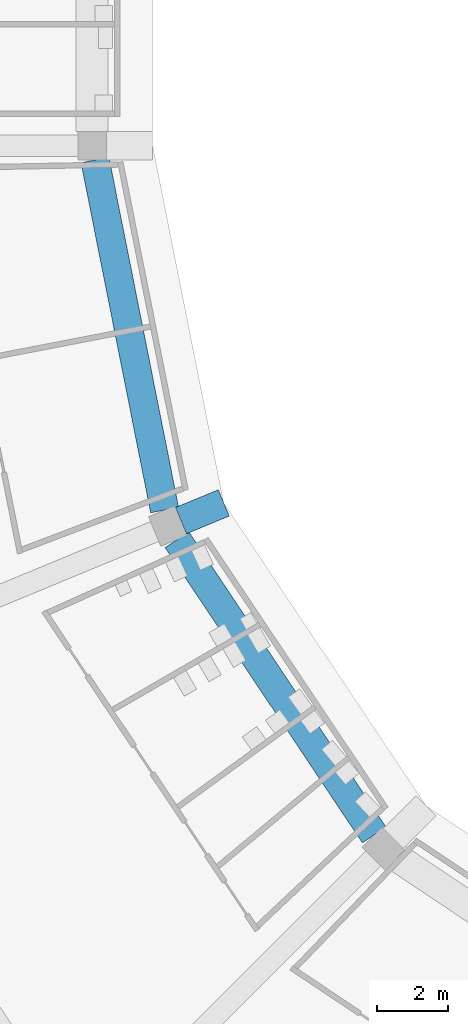
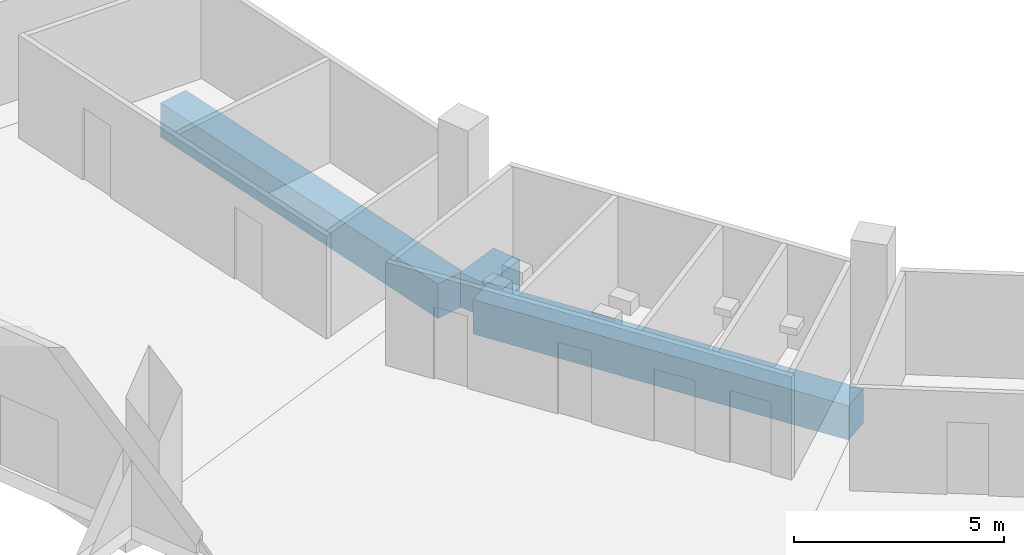
# One storey, part 9 of 199: 3 beams.
"""IFC4 building model written with IfcOpenShell, lengths in metres."""

from ifc_helpers import new_model, si_unit, direction, frame, origin, origin_2d, place, context, subcontext, project, spatial, rectangle, extrude, material, material_profile, profile_set, type_object, element, save


model = new_model("IFC4")

# Units and contexts
model_context = context("Model", 3, precision=1e-05, world=origin(), true_north=direction((0.0, 1.0)))
body_context = subcontext(model_context, "Body", "Model", "MODEL_VIEW")
ifc_project = project(units=[si_unit("LENGTHUNIT", "METRE"), si_unit("AREAUNIT", "SQUARE_METRE"), si_unit("VOLUMEUNIT", "CUBIC_METRE"), si_unit("PLANEANGLEUNIT", "RADIAN"), si_unit("MASSUNIT", "GRAM", prefix="KILO")], contexts=[model_context])

# Site, building, storey
site_placement = place(None, origin())
site = spatial("IfcSite", under=ifc_project, at=site_placement, CompositionType="ELEMENT")
building_placement = place(site_placement, origin())
building = spatial("IfcBuilding", under=site, at=building_placement, Name="Ogive Plaza Stadium", CompositionType="ELEMENT")
storey_placement = place(building_placement, frame((0.0, 0.0, 4.5)))
storey = spatial("IfcBuildingStorey", under=building, at=storey_placement, Name="L01", CompositionType="ELEMENT", Elevation=4.5)

# Beams
ifc_material_1 = material(Name="Concrete C40/50", Category="concrete")
ifc_material_profile_1 = material_profile(ifc_material_1, rectangle(XDim=0.800048828125, YDim=1.0, at=origin_2d()), Name="RC 800x1000")
ifc_profile_set_1 = profile_set([ifc_material_profile_1], Name="Concrete C40/50")
beam_type_1 = type_object("IfcBeamType", Name="RC radial beam 800x1000", PredefinedType="BEAM", material=ifc_profile_set_1)
beam_1_placement = place(storey_placement, frame((-58.20556640625, -62.5263671875, -0.909912109375), z_axis=(-0.923941315923, -0.382534239946, 0.0), x_axis=(0.382534239946, -0.923941315923, 0.0)))
element("IfcBeam", 1, at=beam_1_placement, inside=storey, type_object=beam_type_1, Name="Raker tail beam LT R20", PredefinedType="BEAM", context=body_context, shape_type="SweptSolid", body=[
    extrude(rectangle(XDim=0.800048828125, YDim=1.0, at=origin_2d()), origin(), (0.0, 0.0, 1.0), 1.300048828125),
])
ifc_material_2 = material(Name="Concrete C40/50", Category="concrete")
ifc_material_profile_2 = material_profile(ifc_material_2, rectangle(XDim=0.800048828125, YDim=1.0, at=origin_2d()), Name="RC 800x1000")
ifc_profile_set_2 = profile_set([ifc_material_profile_2], Name="Concrete C40/50")
beam_type_2 = type_object("IfcBeamType", Name="RC ring beam 800x1000", PredefinedType="BEAM", material=ifc_profile_set_2)
beam_2_placement = place(storey_placement, frame((-53.983154296875, -71.8466796875, -0.909912109375), z_axis=(-0.555570290949, 0.831469573595, 0.0), x_axis=(-0.831469573595, -0.555570290949, 0.0)))
element("IfcBeam", 2, at=beam_2_placement, inside=storey, type_object=beam_type_2, Name="Ring beam F3 L01 B19", PredefinedType="BEAM", context=body_context, shape_type="SweptSolid", body=[
    extrude(rectangle(XDim=0.800048828125, YDim=1.0, at=origin_2d()), origin(), (0.0, 0.0, 1.0), 9.96826171875),
])
beam_3_placement = place(storey_placement, frame((-59.86572265625, -62.726806640625, -0.909912109375), z_axis=(-0.195103876937, 0.980782584064, 0.0), x_axis=(-0.980782584064, -0.195103876937, 0.0)))
element("IfcBeam", 3, at=beam_3_placement, inside=storey, type_object=beam_type_2, Name="Ring beam F3 L01 B20", PredefinedType="BEAM", context=body_context, shape_type="SweptSolid", body=[
    extrude(rectangle(XDim=0.800048828125, YDim=1.0, at=origin_2d()), origin(), (0.0, 0.0, 1.0), 10.01953125),
])

save(model, "model.ifc")
